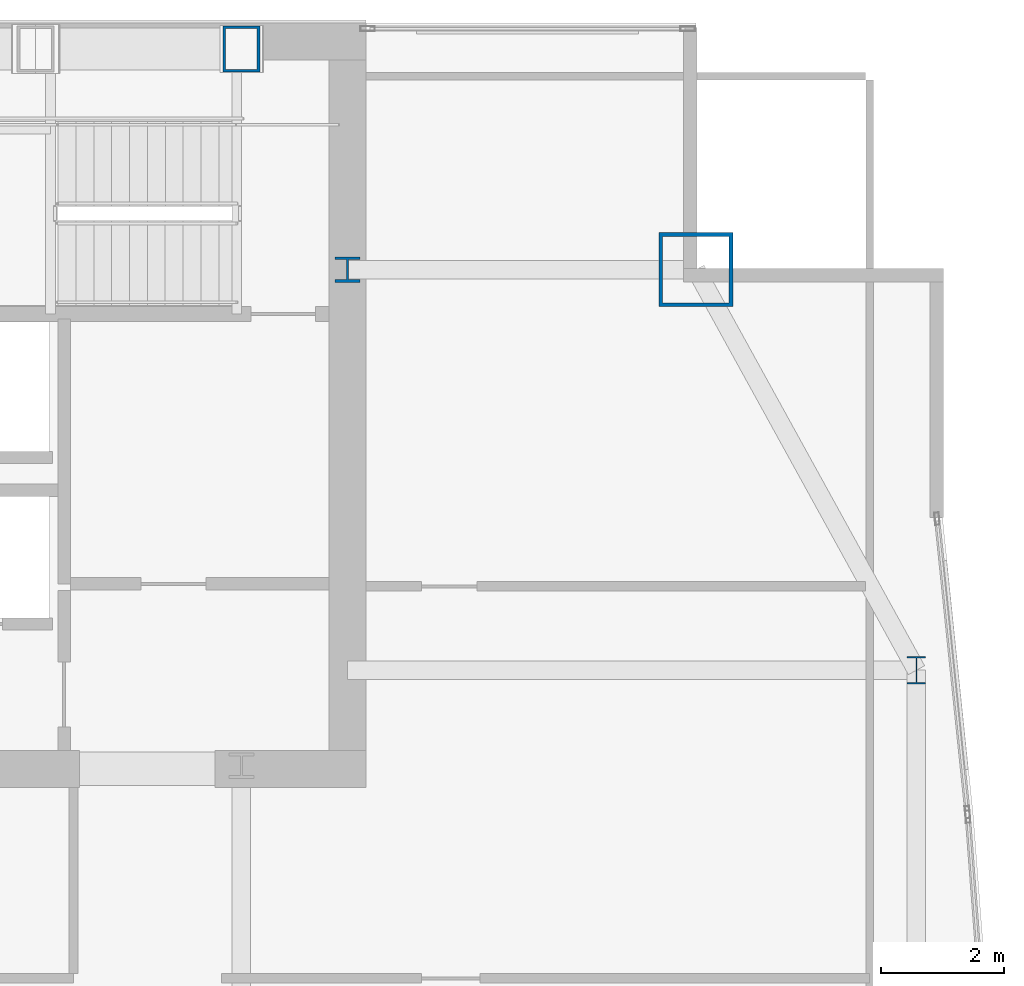
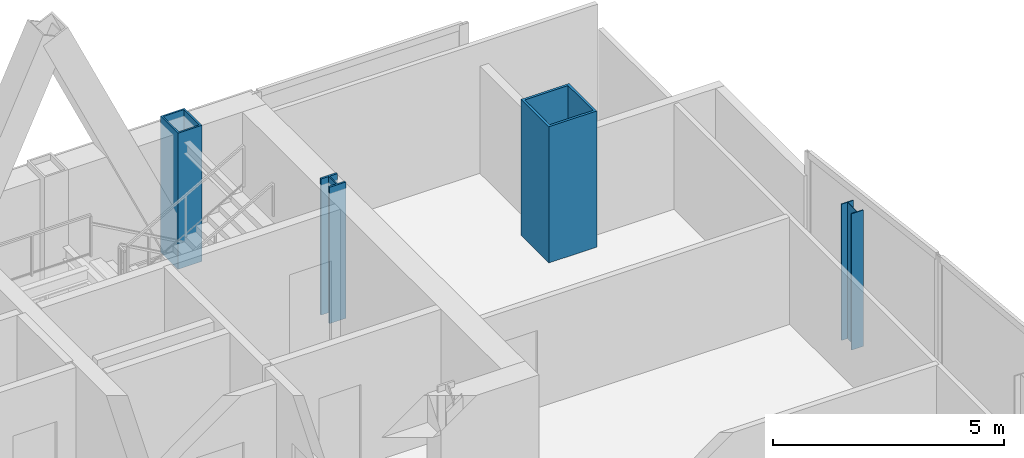
# One storey, part 4 of 32: 4 columns.
"""IFC4 building model written with IfcOpenShell, lengths in metres."""

from ifc_helpers import new_model, si_unit, direction, frame, origin, origin_2d, place, context, subcontext, project, spatial, hollow_rectangle, i_section, extrude, material, material_profile, profile_set, type_object, element, save


model = new_model("IFC4")

# Units and contexts
model_context = context("Model", 3, precision=1e-05, world=origin(), true_north=direction((0.0, 1.0)))
body_context = subcontext(model_context, "Body", "Model", "MODEL_VIEW")
ifc_project = project(units=[si_unit("LENGTHUNIT", "METRE"), si_unit("AREAUNIT", "SQUARE_METRE"), si_unit("VOLUMEUNIT", "CUBIC_METRE"), si_unit("PLANEANGLEUNIT", "RADIAN"), si_unit("MASSUNIT", "GRAM", prefix="KILO")], contexts=[model_context])

# Site, building, storey
site_placement = place(None, origin())
site = spatial("IfcSite", under=ifc_project, at=site_placement, CompositionType="ELEMENT")
building_placement = place(site_placement, origin())
building = spatial("IfcBuilding", under=site, at=building_placement, Name="Khoronbel Lancet Exchange", CompositionType="ELEMENT")
storey_placement = place(building_placement, frame((0.0, 0.0, 231.800048828125)))
storey = spatial("IfcBuildingStorey", under=building, at=storey_placement, Name="L59", CompositionType="ELEMENT", Elevation=231.800048828125)

# Columns
ifc_material_1 = material(Name="Steel S460", Category="steel")
ifc_material_profile_1 = material_profile(ifc_material_1, hollow_rectangle(XDim=0.60009765625, YDim=0.75, WallThickness=0.044921875, at=origin_2d()), Name="BOX 750x600x45")
ifc_profile_set_1 = profile_set([ifc_material_profile_1], Name="Steel S460")
column_type_1 = type_object("IfcColumnType", Name="COL-EC3", PredefinedType="COLUMN", material=ifc_profile_set_1)
column_1_placement = place(storey_placement, frame((54.675048828125, 53.280029296875, 0.0), z_axis=(0.0, 0.0, 1.0), x_axis=(1.0, 0.0, 0.0)))
element("IfcColumn", 1, at=column_1_placement, inside=storey, type_object=column_type_1, Name="Structural column NC-E2 L59", PredefinedType="COLUMN", context=body_context, shape_type="SweptSolid", body=[
    extrude(hollow_rectangle(XDim=0.60009765625, YDim=0.75, WallThickness=0.044921875, at=origin_2d()), origin(), (0.0, 0.0, 1.0), 3.599853515625),
])
ifc_material_2 = material(Name="Steel S355", Category="steel")
ifc_material_profile_2 = material_profile(ifc_material_2, i_section(OverallWidth=0.406005859375, OverallDepth=0.416015625, WebThickness=0.02978515625, FlangeThickness=0.048095703125, at=origin_2d()), Name="HD 400x382")
ifc_profile_set_2 = profile_set([ifc_material_profile_2], Name="Steel S355")
column_type_2 = type_object("IfcColumnType", Name="COL-IC3", PredefinedType="COLUMN", material=ifc_profile_set_2)
column_2_placement = place(storey_placement, frame((56.39990234375, 49.699951171875, 0.0), z_axis=(0.0, 0.0, 1.0), x_axis=(1.0, 0.0, 0.0)))
element("IfcColumn", 2, at=column_2_placement, inside=storey, type_object=column_type_2, Name="Core-flank plumb transfer column CFE L59", PredefinedType="COLUMN", context=body_context, shape_type="SweptSolid", body=[
    extrude(i_section(OverallWidth=0.406005859375, OverallDepth=0.416015625, WebThickness=0.02978515625, FlangeThickness=0.048095703125, at=origin_2d()), origin(), (0.0, 0.0, 1.0), 3.599853515625),
])
ifc_material_profile_3 = material_profile(ifc_material_2, i_section(OverallWidth=0.300048828125, OverallDepth=0.449951171875, WebThickness=0.013916015625, FlangeThickness=0.02587890625, at=origin_2d()), Name="HEB 450")
ifc_profile_set_3 = profile_set([ifc_material_profile_3], Name="Steel S355")
column_type_3 = type_object("IfcColumnType", Name="COL-LC2", PredefinedType="COLUMN", material=ifc_profile_set_3)
column_3_placement = place(storey_placement, frame((65.6298828125, 43.199951171875, 0.0), z_axis=(0.0, 0.0, 1.0), x_axis=(1.0, 0.0, 0.0)))
element("IfcColumn", 3, at=column_3_placement, inside=storey, type_object=column_type_3, Name="Structural column EC-4 L59", PredefinedType="COLUMN", context=body_context, shape_type="SweptSolid", body=[
    extrude(i_section(OverallWidth=0.300048828125, OverallDepth=0.449951171875, WebThickness=0.013916015625, FlangeThickness=0.02587890625, at=origin_2d()), origin(), (0.0, 0.0, 1.0), 3.599853515625),
])
ifc_material_profile_4 = material_profile(ifc_material_1, hollow_rectangle(XDim=1.199951171875, YDim=1.199951171875, WallThickness=0.06005859375, at=origin_2d()), Name="BOX 1200x1200x60")
ifc_profile_set_4 = profile_set([ifc_material_profile_4], Name="Steel S460")
column_type_4 = type_object("IfcColumnType", Name="COL-MC5", PredefinedType="COLUMN", material=ifc_profile_set_4)
column_4_placement = place(storey_placement, frame((62.050048828125, 49.699951171875, 0.0), z_axis=(0.0, 0.0, 1.0), x_axis=(1.0, 0.0, 0.0)))
element("IfcColumn", 4, at=column_4_placement, inside=storey, type_object=column_type_4, Name="Structural column MC-NE L59", PredefinedType="COLUMN", context=body_context, shape_type="SweptSolid", body=[
    extrude(hollow_rectangle(XDim=1.199951171875, YDim=1.199951171875, WallThickness=0.06005859375, at=origin_2d()), origin(), (0.0, 0.0, 1.0), 3.599853515625),
])

save(model, "model.ifc")
